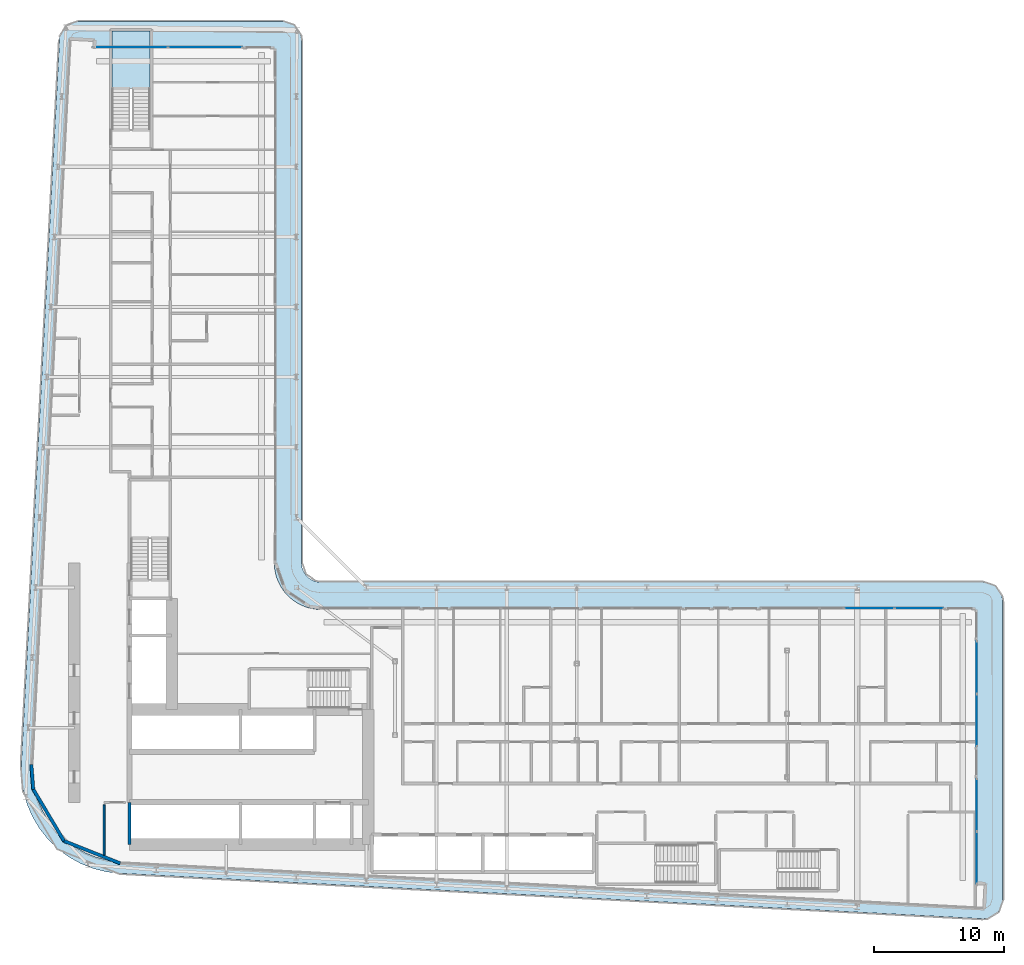
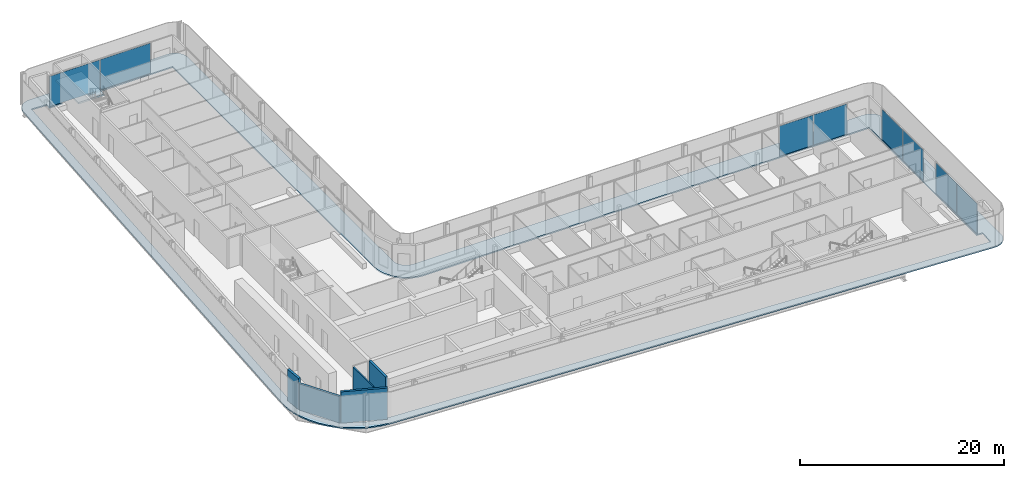
# One storey, part 12 of 27: 8 plates, 5 walls, 2 slabs, 5 elements without a shape of their own.
"""IFC4 building model written with IfcOpenShell, lengths in metres."""

from ifc_helpers import new_model, si_unit, direction, frame, frame_2d, origin, origin_2d, place, context, subcontext, project, spatial, polyline, rectangle, outline, extrude, material, layer, layer_set, type_object, element, aggregate, save


model = new_model("IFC4")

# Units and contexts
model_context = context("Model", 3, precision=1e-05, world=origin(), true_north=direction((0.0, 1.0)))
body_context = subcontext(model_context, "Body", "Model", "MODEL_VIEW")
ifc_project = project(units=[si_unit("LENGTHUNIT", "METRE"), si_unit("AREAUNIT", "SQUARE_METRE"), si_unit("VOLUMEUNIT", "CUBIC_METRE"), si_unit("PLANEANGLEUNIT", "RADIAN"), si_unit("MASSUNIT", "GRAM", prefix="KILO")], contexts=[model_context])

# Site, building, storey
site_placement = place(None, origin())
site = spatial("IfcSite", under=ifc_project, at=site_placement, CompositionType="ELEMENT")
building_placement = place(site_placement, origin())
building = spatial("IfcBuilding", under=site, at=building_placement, Name="Kheshtan School and Residences Tower", CompositionType="ELEMENT")
storey_placement = place(building_placement, frame((0.0, 0.0, 98.0)))
storey = spatial("IfcBuildingStorey", under=building, at=storey_placement, Name="L22", CompositionType="ELEMENT", Elevation=98.0)

# Curtain wall, plates
ifc_material_1 = material(Name="Clear low-e glass in thermally broken aluminium frame", Category="aluminium")
ifc_layer_1 = layer(ifc_material_1, 0.199951171875)
ifc_layer_set_1 = layer_set([ifc_layer_1], Name="Curtain wall CW-L")
curtain_wall_type = type_object("IfcCurtainWallType", Name="Curtain wall CW-L", PredefinedType="NOTDEFINED", material=ifc_layer_set_1)
curtain_wall_1_placement = place(storey_placement, origin())
curtain_wall_1 = element("IfcCurtainWall", 1, at=curtain_wall_1_placement, inside=storey, type_object=curtain_wall_type, Name="Curtain wall CWL3", PredefinedType="NOTDEFINED")
ifc_layer_2 = layer(ifc_material_1, 0.031982421875)
ifc_layer_set_2 = layer_set([ifc_layer_2], Name="CW-L glass panel")
plate_type = type_object("IfcPlateType", Name="CW-L glass panel", PredefinedType="CURTAIN_PANEL", material=ifc_layer_set_2)
plate_1_placement = place(storey_placement, frame((34.8330078125, 87.199951171875, 0.0), z_axis=(0.0, 0.0, 1.0), x_axis=(1.0, 0.0, 0.0)))
plate_1 = element("IfcPlate", 2, at=plate_1_placement, type_object=plate_type, Name="CWL3 panel 1.1", PredefinedType="CURTAIN_PANEL", context=body_context, shape_type="SweptSolid", body=[
    extrude(rectangle(XDim=5.697998046875, YDim=0.031982421875, at=origin_2d()), origin(), (0.0, 0.0, 1.0), 3.6298828125),
])
plate_2_placement = place(storey_placement, frame((40.591064453125, 87.199951171875, 0.0), z_axis=(0.0, 0.0, 1.0), x_axis=(1.0, 0.0, 0.0)))
plate_2 = element("IfcPlate", 3, at=plate_2_placement, type_object=plate_type, Name="CWL3 panel 2.1", PredefinedType="CURTAIN_PANEL", context=body_context, shape_type="SweptSolid", body=[
    extrude(rectangle(XDim=5.697998046875, YDim=0.031982421875, at=origin_2d()), origin(), (0.0, 0.0, 1.0), 3.6298828125),
])
aggregate(curtain_wall_1, [plate_1, plate_2])

curtain_wall_2_placement = place(storey_placement, origin())
curtain_wall_2 = element("IfcCurtainWall", 4, at=curtain_wall_2_placement, inside=storey, type_object=curtain_wall_type, Name="Curtain wall CWL8", PredefinedType="NOTDEFINED")
plate_3_placement = place(storey_placement, frame((91.714599609375, 44.0, 0.0), z_axis=(0.0, 0.0, 1.0), x_axis=(1.0, 0.0, 0.0)))
plate_3 = element("IfcPlate", 5, at=plate_3_placement, type_object=plate_type, Name="CWL8 panel 1.1", PredefinedType="CURTAIN_PANEL", context=body_context, shape_type="SweptSolid", body=[
    extrude(rectangle(XDim=3.81689453125, YDim=0.031982421875, at=origin_2d()), origin(), (0.0, 0.0, 1.0), 3.6298828125),
])
plate_4_placement = place(storey_placement, frame((95.5615234375, 44.0, 0.0), z_axis=(0.0, 0.0, 1.0), x_axis=(1.0, 0.0, 0.0)))
plate_4 = element("IfcPlate", 6, at=plate_4_placement, type_object=plate_type, Name="CWL8 panel 2.1", PredefinedType="CURTAIN_PANEL", context=body_context, shape_type="SweptSolid", body=[
    extrude(rectangle(XDim=3.757080078125, YDim=0.031982421875, at=origin_2d()), origin(), (0.0, 0.0, 1.0), 3.6298828125),
])
aggregate(curtain_wall_2, [plate_3, plate_4])

curtain_wall_3_placement = place(storey_placement, origin())
curtain_wall_3 = element("IfcCurtainWall", 7, at=curtain_wall_3_placement, inside=storey, type_object=curtain_wall_type, Name="Curtain wall CWL9", PredefinedType="NOTDEFINED")
plate_5_placement = place(storey_placement, frame((100.0, 39.436767578125, 0.0), z_axis=(0.0, 0.0, 1.0), x_axis=(0.0, -1.0, 0.0)))
plate_5 = element("IfcPlate", 8, at=plate_5_placement, type_object=plate_type, Name="CWL9 panel 1.1", PredefinedType="CURTAIN_PANEL", context=body_context, shape_type="SweptSolid", body=[
    extrude(rectangle(XDim=4.006591796875, YDim=0.031982421875, at=origin_2d()), origin(), (0.0, 0.0, 1.0), 3.6298828125),
])
plate_6_placement = place(storey_placement, frame((100.0, 35.370361328125, 0.0), z_axis=(0.0, 0.0, 1.0), x_axis=(0.0, -1.0, 0.0)))
plate_6 = element("IfcPlate", 9, at=plate_6_placement, type_object=plate_type, Name="CWL9 panel 2.1", PredefinedType="CURTAIN_PANEL", context=body_context, shape_type="SweptSolid", body=[
    extrude(rectangle(XDim=4.006591796875, YDim=0.031982421875, at=origin_2d()), origin(), (0.0, 0.0, 1.0), 3.6298828125),
])
aggregate(curtain_wall_3, [plate_5, plate_6])

curtain_wall_4_placement = place(storey_placement, origin())
curtain_wall_4 = element("IfcCurtainWall", 10, at=curtain_wall_4_placement, inside=storey, type_object=curtain_wall_type, Name="Curtain wall CWL9", PredefinedType="NOTDEFINED")
plate_7_placement = place(storey_placement, frame((100.0, 28.84375, 0.0), z_axis=(0.0, 0.0, 1.0), x_axis=(0.0, -1.0, 0.0)))
plate_7 = element("IfcPlate", 11, at=plate_7_placement, type_object=plate_type, Name="CWL9 panel 1.1", PredefinedType="CURTAIN_PANEL", context=body_context, shape_type="SweptSolid", body=[
    extrude(rectangle(XDim=4.006591796875, YDim=0.031982421875, at=origin_2d()), origin(), (0.0, 0.0, 1.0), 3.6298828125),
])
plate_8_placement = place(storey_placement, frame((100.0, 24.77734375, 0.0), z_axis=(0.0, 0.0, 1.0), x_axis=(0.0, -1.0, 0.0)))
plate_8 = element("IfcPlate", 12, at=plate_8_placement, type_object=plate_type, Name="CWL9 panel 2.1", PredefinedType="CURTAIN_PANEL", context=body_context, shape_type="SweptSolid", body=[
    extrude(rectangle(XDim=4.006591796875, YDim=0.031982421875, at=origin_2d()), origin(), (0.0, 0.0, 1.0), 3.6298828125),
])
aggregate(curtain_wall_4, [plate_7, plate_8])

# Slab
ifc_material_2 = material(Name="Concrete C40/50", Category="concrete")
ifc_layer_3 = layer(ifc_material_2, 0.14990234375)
ifc_layer_set_3 = layer_set([ifc_layer_3], Name="Loggia balcony slab 150 Concrete C40/50")
slab_type_1 = type_object("IfcSlabType", Name="Loggia balcony slab 150 Concrete C40/50", PredefinedType="FLOOR", material=ifc_layer_set_3)
slab_1_placement = place(storey_placement, frame((0.0, 0.0, -0.14990234375)))
element("IfcSlab", 13, at=slab_1_placement, inside=storey, type_object=slab_type_1, Name="Loggia balcony slab L22", PredefinedType="FLOOR", context=body_context, shape_type="SweptSolid", body=[
    extrude(outline(polyline([(28.4580078125, 26.222900390625), (28.45703125, 26.222900390625), (28.45703125, 26.22412109375), (28.4560546875, 26.22412109375), (27.81494140625, 27.0390625), (27.281005859375, 27.93798828125), (26.867919921875, 28.89990234375), (26.583984375, 29.89990234375), (26.583984375, 29.906982421875), (26.43408203125, 30.943115234375), (26.419921875, 31.989013671875), (29.35693359375, 87.779052734375), (29.363037109375, 87.826904296875), (29.363037109375, 87.827880859375), (29.362060546875, 87.827880859375), (29.362060546875, 87.8291015625), (29.361083984375, 87.8291015625), (29.361083984375, 87.830078125), (29.360107421875, 87.830078125), (29.360107421875, 87.8310546875), (29.35888671875, 87.8310546875), (29.35888671875, 87.83203125), (29.35888671875, 87.8330078125), (29.376953125, 87.98095703125), (29.376953125, 87.98388671875), (29.376953125, 87.985107421875), (29.3779296875, 87.985107421875), (29.3779296875, 87.986083984375), (29.37890625, 87.986083984375), (29.37890625, 87.987060546875), (29.3798828125, 87.987060546875), (29.381103515625, 87.987060546875), (29.381103515625, 87.988037109375), (29.382080078125, 87.988037109375), (29.382080078125, 87.989013671875), (29.382080078125, 87.990966796875), (29.43505859375, 88.18408203125), (29.514892578125, 88.375), (29.62109375, 88.552978515625), (29.742919921875, 88.70703125), (29.743896484375, 88.70703125), (29.743896484375, 88.7080078125), (29.7451171875, 88.7080078125), (29.7451171875, 88.708984375), (29.74609375, 88.708984375), (29.74609375, 88.7099609375), (29.7470703125, 88.7099609375), (29.7470703125, 88.7109375), (29.748046875, 88.7109375), (29.748046875, 88.7119140625), (29.7490234375, 88.7119140625), (29.7490234375, 88.712890625), (29.75, 88.712890625), (29.751953125, 88.712890625), (29.7529296875, 88.712890625), (29.7529296875, 88.714111328125), (29.89990234375, 88.85693359375), (29.90087890625, 88.85693359375), (29.90087890625, 88.85791015625), (29.902099609375, 88.85791015625), (29.902099609375, 88.85888671875), (29.903076171875, 88.85888671875), (29.903076171875, 88.860107421875), (29.904052734375, 88.860107421875), (29.904052734375, 88.861083984375), (29.905029296875, 88.861083984375), (29.905029296875, 88.862060546875), (29.906005859375, 88.862060546875), (29.906005859375, 88.863037109375), (29.906982421875, 88.863037109375), (29.906982421875, 88.864013671875), (30.068115234375, 88.97705078125), (30.2509765625, 89.072998046875), (30.43896484375, 89.14306640625), (30.446044921875, 89.14306640625), (30.64794921875, 89.18603515625), (30.85498046875, 89.199951171875), (46.5, 89.199951171875), (46.696044921875, 89.18701171875), (46.887939453125, 89.14892578125), (46.89501953125, 89.14892578125), (47.073974609375, 89.0859375), (47.243896484375, 89.0009765625), (47.2451171875, 89.0009765625), (47.2470703125, 89.0009765625), (47.248046875, 89.0009765625), (47.248046875, 89.001953125), (47.2490234375, 89.001953125), (47.2490234375, 89.0029296875), (47.25, 89.0029296875), (47.2529296875, 89.0029296875), (47.25390625, 89.0029296875), (47.25390625, 89.001953125), (47.2548828125, 89.001953125), (47.2548828125, 89.0009765625), (47.256103515625, 89.0009765625), (47.256103515625, 89.0), (47.257080078125, 89.0), (47.257080078125, 88.9990234375), (47.258056640625, 88.9990234375), (47.258056640625, 88.998046875), (47.412109375, 88.89599609375), (47.4130859375, 88.89599609375), (47.4130859375, 88.89501953125), (47.4140625, 88.89501953125), (47.4140625, 88.89404296875), (47.4140625, 88.889892578125), (47.4140625, 88.888916015625), (47.4150390625, 88.888916015625), (47.4150390625, 88.887939453125), (47.416015625, 88.887939453125), (47.416015625, 88.886962890625), (47.4169921875, 88.886962890625), (47.4169921875, 88.885986328125), (47.554931640625, 88.76806640625), (47.554931640625, 88.76708984375), (47.555908203125, 88.76708984375), (47.555908203125, 88.76611328125), (47.556884765625, 88.76611328125), (47.556884765625, 88.764892578125), (47.55810546875, 88.764892578125), (47.55810546875, 88.763916015625), (47.55908203125, 88.763916015625), (47.55908203125, 88.762939453125), (47.56005859375, 88.762939453125), (47.56005859375, 88.761962890625), (47.56103515625, 88.761962890625), (47.56201171875, 88.760986328125), (47.56201171875, 88.760009765625), (47.56298828125, 88.760009765625), (47.56298828125, 88.759033203125), (47.56396484375, 88.759033203125), (47.56396484375, 88.758056640625), (47.56494140625, 88.758056640625), (47.56494140625, 88.757080078125), (47.56591796875, 88.757080078125), (47.56591796875, 88.756103515625), (47.56689453125, 88.756103515625), (47.56689453125, 88.7548828125), (47.568115234375, 88.7548828125), (47.68505859375, 88.617919921875), (47.68603515625, 88.617919921875), (47.68603515625, 88.616943359375), (47.68701171875, 88.616943359375), (47.68701171875, 88.615966796875), (47.68798828125, 88.615966796875), (47.68798828125, 88.614990234375), (47.68896484375, 88.614990234375), (47.68896484375, 88.614013671875), (47.68994140625, 88.614013671875), (47.694091796875, 88.614013671875), (47.695068359375, 88.614013671875), (47.695068359375, 88.613037109375), (47.696044921875, 88.613037109375), (47.696044921875, 88.612060546875), (47.797119140625, 88.458984375), (47.798095703125, 88.458984375), (47.798095703125, 88.4580078125), (47.799072265625, 88.4580078125), (47.799072265625, 88.45703125), (47.800048828125, 88.45703125), (47.800048828125, 88.4560546875), (47.801025390625, 88.4560546875), (47.801025390625, 88.455078125), (47.802001953125, 88.455078125), (47.802001953125, 88.4541015625), (47.802978515625, 88.4541015625), (47.802978515625, 88.452880859375), (47.802978515625, 88.449951171875), (47.802978515625, 88.448974609375), (47.802001953125, 88.448974609375), (47.802001953125, 88.447998046875), (47.801025390625, 88.447998046875), (47.801025390625, 88.447021484375), (47.801025390625, 88.444091796875), (47.801025390625, 88.443115234375), (47.885986328125, 88.27392578125), (47.948974609375, 88.094970703125), (47.948974609375, 88.087890625), (47.987060546875, 87.89599609375), (48.0, 87.699951171875), (48.0, 47.5), (48.012939453125, 47.303955078125), (48.051025390625, 47.113037109375), (48.051025390625, 47.10693359375), (48.051025390625, 47.10595703125), (48.114013671875, 46.926025390625), (48.200927734375, 46.75), (48.31005859375, 46.5869140625), (48.431884765625, 46.444091796875), (48.43310546875, 46.444091796875), (48.43310546875, 46.443115234375), (48.43408203125, 46.443115234375), (48.43408203125, 46.44189453125), (48.43505859375, 46.44189453125), (48.43505859375, 46.44091796875), (48.43603515625, 46.44091796875), (48.43603515625, 46.43994140625), (48.43701171875, 46.43994140625), (48.43701171875, 46.43896484375), (48.43798828125, 46.43896484375), (48.43896484375, 46.43798828125), (48.43896484375, 46.43701171875), (48.43994140625, 46.43701171875), (48.43994140625, 46.43603515625), (48.44091796875, 46.43603515625), (48.44091796875, 46.43505859375), (48.44189453125, 46.43505859375), (48.44189453125, 46.43408203125), (48.443115234375, 46.43408203125), (48.443115234375, 46.43310546875), (48.444091796875, 46.43310546875), (48.444091796875, 46.431884765625), (48.5869140625, 46.31005859375), (48.75, 46.200927734375), (48.926025390625, 46.114013671875), (49.10595703125, 46.051025390625), (49.10693359375, 46.051025390625), (49.113037109375, 46.051025390625), (49.303955078125, 46.012939453125), (49.5, 46.0), (100.5, 46.0), (100.696044921875, 45.987060546875), (100.887939453125, 45.948974609375), (100.89501953125, 45.948974609375), (101.073974609375, 45.885986328125), (101.241943359375, 45.801025390625), (101.242919921875, 45.801025390625), (101.2470703125, 45.801025390625), (101.248046875, 45.801025390625), (101.248046875, 45.802001953125), (101.2490234375, 45.802001953125), (101.2490234375, 45.802978515625), (101.25, 45.802978515625), (101.2529296875, 45.802978515625), (101.25390625, 45.802978515625), (101.25390625, 45.802001953125), (101.2548828125, 45.802001953125), (101.2548828125, 45.801025390625), (101.256103515625, 45.801025390625), (101.256103515625, 45.800048828125), (101.257080078125, 45.800048828125), (101.257080078125, 45.799072265625), (101.258056640625, 45.799072265625), (101.258056640625, 45.798095703125), (101.259033203125, 45.798095703125), (101.259033203125, 45.797119140625), (101.260009765625, 45.797119140625), (101.260009765625, 45.7958984375), (101.412109375, 45.696044921875), (101.4130859375, 45.696044921875), (101.4130859375, 45.695068359375), (101.4140625, 45.695068359375), (101.4140625, 45.694091796875), (101.4140625, 45.68994140625), (101.4140625, 45.68896484375), (101.4150390625, 45.68896484375), (101.4150390625, 45.68798828125), (101.416015625, 45.68798828125), (101.416015625, 45.68701171875), (101.4169921875, 45.68701171875), (101.4169921875, 45.68603515625), (101.41796875, 45.68603515625), (101.41796875, 45.68505859375), (101.4189453125, 45.68505859375), (101.4189453125, 45.68408203125), (101.554931640625, 45.568115234375), (101.554931640625, 45.56689453125), (101.555908203125, 45.56689453125), (101.555908203125, 45.56591796875), (101.556884765625, 45.56591796875), (101.556884765625, 45.56494140625), (101.55810546875, 45.56494140625), (101.55810546875, 45.56396484375), (101.55908203125, 45.56396484375), (101.55908203125, 45.56298828125), (101.56005859375, 45.56298828125), (101.56005859375, 45.56201171875), (101.56103515625, 45.56201171875), (101.56201171875, 45.56103515625), (101.56201171875, 45.56005859375), (101.56298828125, 45.56005859375), (101.56298828125, 45.55908203125), (101.56396484375, 45.55908203125), (101.56396484375, 45.55810546875), (101.56494140625, 45.55810546875), (101.56494140625, 45.556884765625), (101.56591796875, 45.556884765625), (101.56591796875, 45.555908203125), (101.56689453125, 45.555908203125), (101.56689453125, 45.554931640625), (101.568115234375, 45.554931640625), (101.681884765625, 45.4208984375), (101.68310546875, 45.4208984375), (101.68310546875, 45.419921875), (101.68408203125, 45.419921875), (101.68408203125, 45.4189453125), (101.68505859375, 45.4189453125), (101.68505859375, 45.41796875), (101.68603515625, 45.41796875), (101.68603515625, 45.4169921875), (101.68701171875, 45.4169921875), (101.68701171875, 45.416015625), (101.68798828125, 45.416015625), (101.68798828125, 45.4150390625), (101.68896484375, 45.4150390625), (101.68896484375, 45.4140625), (101.68994140625, 45.4140625), (101.694091796875, 45.4140625), (101.695068359375, 45.4140625), (101.695068359375, 45.4130859375), (101.696044921875, 45.4130859375), (101.696044921875, 45.412109375), (101.7939453125, 45.261962890625), (101.794921875, 45.261962890625), (101.794921875, 45.260986328125), (101.7958984375, 45.260986328125), (101.7958984375, 45.260009765625), (101.797119140625, 45.260009765625), (101.797119140625, 45.259033203125), (101.798095703125, 45.259033203125), (101.798095703125, 45.258056640625), (101.799072265625, 45.258056640625), (101.799072265625, 45.257080078125), (101.800048828125, 45.257080078125), (101.800048828125, 45.256103515625), (101.801025390625, 45.256103515625), (101.801025390625, 45.2548828125), (101.802001953125, 45.2548828125), (101.802001953125, 45.25390625), (101.802978515625, 45.25390625), (101.802978515625, 45.2529296875), (101.802978515625, 45.25), (101.802978515625, 45.2490234375), (101.802001953125, 45.2490234375), (101.802001953125, 45.248046875), (101.801025390625, 45.248046875), (101.801025390625, 45.2470703125), (101.801025390625, 45.240966796875), (101.801025390625, 45.239990234375), (101.885986328125, 45.073974609375), (101.948974609375, 44.89501953125), (101.948974609375, 44.887939453125), (101.987060546875, 44.696044921875), (102.0, 44.5), (102.0, 21.5810546875), (101.986083984375, 21.37890625), (101.945068359375, 21.179931640625), (101.945068359375, 21.173095703125), (101.8779296875, 20.989013671875), (101.785888671875, 20.80810546875), (101.6708984375, 20.64306640625), (101.6708984375, 20.64208984375), (101.6708984375, 20.64111328125), (101.6708984375, 20.639892578125), (101.672119140625, 20.639892578125), (101.672119140625, 20.638916015625), (101.672119140625, 20.636962890625), (101.672119140625, 20.635986328125), (101.6708984375, 20.635986328125), (101.6708984375, 20.635009765625), (101.5380859375, 20.491943359375), (101.534912109375, 20.489013671875), (101.533935546875, 20.489013671875), (101.533935546875, 20.488037109375), (101.532958984375, 20.488037109375), (101.531005859375, 20.488037109375), (101.530029296875, 20.488037109375), (101.530029296875, 20.489013671875), (101.529052734375, 20.489013671875), (101.528076171875, 20.489013671875), (101.527099609375, 20.489013671875), (101.3759765625, 20.364013671875), (101.2041015625, 20.256103515625), (101.01904296875, 20.174072265625), (100.8310546875, 20.116943359375), (100.823974609375, 20.116943359375), (100.6240234375, 20.0859375), (100.4208984375, 20.0830078125), (33.989013671875, 23.580078125), (33.94189453125, 23.5859375), (33.94091796875, 23.5859375), (33.93994140625, 23.5859375), (33.93994140625, 23.5849609375), (33.93896484375, 23.5849609375), (33.93896484375, 23.583984375), (33.93798828125, 23.583984375), (33.93798828125, 23.5830078125), (33.93701171875, 23.5830078125), (33.93701171875, 23.58203125), (33.93603515625, 23.58203125), (33.93505859375, 23.58203125), (32.952880859375, 23.697998046875), (32.949951171875, 23.697998046875), (32.948974609375, 23.697998046875), (32.948974609375, 23.698974609375), (32.947998046875, 23.698974609375), (32.947998046875, 23.699951171875), (32.947021484375, 23.699951171875), (32.947021484375, 23.700927734375), (32.947021484375, 23.702880859375), (32.947021484375, 23.7041015625), (32.946044921875, 23.7041015625), (32.946044921875, 23.705078125), (32.945068359375, 23.705078125), (32.944091796875, 23.705078125), (31.93603515625, 23.9609375), (31.928955078125, 23.9609375), (30.964111328125, 24.34912109375), (30.051025390625, 24.860107421875), (29.218994140625, 25.47900390625), (29.218994140625, 25.47998046875), (29.218017578125, 25.47998046875), (29.218017578125, 25.48095703125), (29.217041015625, 25.48095703125), (29.217041015625, 25.48193359375), (29.216064453125, 25.48193359375), (29.216064453125, 25.48291015625), (29.215087890625, 25.48291015625), (29.215087890625, 25.48388671875), (29.214111328125, 25.48388671875), (29.214111328125, 25.485107421875), (29.212890625, 25.485107421875), (29.212890625, 25.486083984375), (29.2119140625, 25.486083984375), (28.466064453125, 26.217041015625), (28.466064453125, 26.218017578125), (28.465087890625, 26.218017578125), (28.462890625, 26.218017578125), (28.4619140625, 26.218017578125), (28.4619140625, 26.218994140625), (28.4609375, 26.218994140625), (28.4609375, 26.219970703125), (28.4599609375, 26.219970703125), (28.4599609375, 26.220947265625), (28.458984375, 26.220947265625), (28.458984375, 26.221923828125), (28.4580078125, 26.221923828125), (28.4580078125, 26.222900390625)]), holes=[polyline([(27.466064453125, 30.0869140625), (27.718017578125, 29.200927734375), (28.0849609375, 28.345947265625), (28.55908203125, 27.550048828125), (29.126953125, 26.825927734375), (29.1279296875, 26.825927734375), (29.1279296875, 26.824951171875), (29.12890625, 26.824951171875), (29.12890625, 26.823974609375), (29.1298828125, 26.823974609375), (29.1298828125, 26.822998046875), (29.131103515625, 26.822998046875), (29.131103515625, 26.822021484375), (29.132080078125, 26.822021484375), (29.132080078125, 26.821044921875), (29.133056640625, 26.821044921875), (29.133056640625, 26.820068359375), (29.134033203125, 26.820068359375), (29.7958984375, 26.173095703125), (29.7958984375, 26.172119140625), (29.797119140625, 26.172119140625), (29.798095703125, 26.172119140625), (29.799072265625, 26.172119140625), (29.799072265625, 26.1708984375), (29.800048828125, 26.1708984375), (29.800048828125, 26.169921875), (29.801025390625, 26.169921875), (29.801025390625, 26.1689453125), (29.802001953125, 26.1689453125), (29.802001953125, 26.16796875), (29.802978515625, 26.16796875), (29.802978515625, 26.1669921875), (29.803955078125, 26.1669921875), (29.803955078125, 26.166015625), (30.541015625, 25.616943359375), (31.35205078125, 25.1630859375), (32.208984375, 24.819091796875), (32.2099609375, 24.819091796875), (32.216064453125, 24.819091796875), (33.114990234375, 24.590087890625), (34.06591796875, 24.47705078125), (100.43798828125, 20.98291015625), (100.465087890625, 20.98388671875), (100.466064453125, 20.98388671875), (100.467041015625, 20.98388671875), (100.467041015625, 20.985107421875), (100.468017578125, 20.985107421875), (100.468017578125, 20.986083984375), (100.468017578125, 20.987060546875), (100.55810546875, 22.676025390625), (100.55810546875, 22.677001953125), (100.55810546875, 22.677978515625), (100.556884765625, 22.677978515625), (100.556884765625, 22.678955078125), (100.555908203125, 22.678955078125), (100.554931640625, 22.678955078125), (99.90087890625, 22.714111328125), (99.89990234375, 22.714111328125), (99.89990234375, 22.715087890625), (99.89990234375, 43.89794921875), (99.89990234375, 43.89892578125), (99.89892578125, 43.89892578125), (99.89892578125, 43.89990234375), (99.89794921875, 43.89990234375), (49.429931640625, 43.89990234375), (49.030029296875, 43.927001953125), (48.569091796875, 44.01806640625), (48.56201171875, 44.01806640625), (48.1201171875, 44.169921875), (47.697021484375, 44.37890625), (47.30810546875, 44.638916015625), (46.95703125, 44.944091796875), (46.95703125, 44.945068359375), (46.9560546875, 44.945068359375), (46.9560546875, 44.946044921875), (46.955078125, 44.946044921875), (46.955078125, 44.947021484375), (46.9541015625, 44.947021484375), (46.9541015625, 44.947998046875), (46.952880859375, 44.947998046875), (46.952880859375, 44.948974609375), (46.951904296875, 44.948974609375), (46.951904296875, 44.949951171875), (46.951904296875, 44.950927734375), (46.950927734375, 44.950927734375), (46.950927734375, 44.951904296875), (46.949951171875, 44.951904296875), (46.948974609375, 44.951904296875), (46.948974609375, 44.952880859375), (46.947998046875, 44.952880859375), (46.947998046875, 44.9541015625), (46.947021484375, 44.9541015625), (46.947021484375, 44.955078125), (46.946044921875, 44.955078125), (46.946044921875, 44.9560546875), (46.945068359375, 44.9560546875), (46.945068359375, 44.95703125), (46.944091796875, 44.95703125), (46.638916015625, 45.30810546875), (46.37890625, 45.697021484375), (46.169921875, 46.1201171875), (46.01806640625, 46.56201171875), (46.01806640625, 46.569091796875), (45.927001953125, 47.030029296875), (45.89990234375, 47.429931640625), (45.89990234375, 87.097900390625), (45.89990234375, 87.09912109375), (45.89892578125, 87.09912109375), (45.89892578125, 87.10009765625), (45.89794921875, 87.10009765625), (36.35009765625, 87.10009765625), (36.35009765625, 88.4599609375), (33.39990234375, 88.4599609375), (33.39990234375, 87.10009765625), (31.925048828125, 87.10009765625), (31.924072265625, 87.10009765625), (31.952880859375, 87.638916015625), (31.952880859375, 87.639892578125), (31.952880859375, 87.64111328125), (31.951904296875, 87.64111328125), (31.951904296875, 87.64208984375), (31.950927734375, 87.64208984375), (31.949951171875, 87.64208984375), (30.260986328125, 87.73193359375), (30.260009765625, 87.73193359375), (30.259033203125, 87.73193359375), (30.259033203125, 87.73095703125), (30.258056640625, 87.73095703125), (30.258056640625, 87.72998046875), (30.258056640625, 87.72900390625), (30.25390625, 87.700927734375), (27.320068359375, 31.970947265625), (27.3330078125, 31.013916015625), (27.466064453125, 30.093994140625), (27.466064453125, 30.087890625), (27.466064453125, 30.0869140625)])]), origin(), (0.0, 0.0, 1.0), 0.14990234375),
])

# Stair, slab
stair_type = type_object("IfcStairType", Name="Exit stair, half-turn", PredefinedType="HALF_TURN_STAIR", material=ifc_material_2)
stair_placement = place(storey_placement, origin())
stair = element("IfcStair", 14, at=stair_placement, inside=storey, type_object=stair_type, Name="L22 Protected Exit Stair ST3", PredefinedType="HALF_TURN_STAIR")
ifc_layer_4 = layer(ifc_material_2, 0.199951171875)
ifc_layer_set_4 = layer_set([ifc_layer_4], Name="Stair landing 200 Concrete C40/50")
slab_type_2 = type_object("IfcSlabType", Name="Stair landing 200 Concrete C40/50", PredefinedType="LANDING", material=ifc_layer_set_4)
slab_2_placement = place(storey_placement, frame((0.0, 0.0, 1.75)))
slab_2 = element("IfcSlab", 15, at=slab_2_placement, type_object=slab_type_2, Name="ST3 landing 1", PredefinedType="LANDING", context=body_context, shape_type="SweptSolid", body=[
    extrude(outline(polyline([(36.35009765625, 83.97998046875), (36.35009765625, 88.4599609375), (33.39990234375, 88.4599609375), (33.39990234375, 83.97998046875), (36.35009765625, 83.97998046875)])), origin(), (0.0, 0.0, 1.0), 0.199951171875),
])
aggregate(stair, [slab_2])

# Walls
ifc_material_3 = material(Name="Concrete C40/50 with ceramic cladding and mineral wool insulation", Category="concrete")
ifc_layer_5 = layer(ifc_material_3, 0.25)
ifc_layer_set_5 = layer_set([ifc_layer_5], Name="External wall 250 ceramic clad")
wall_type_1 = type_object("IfcWallType", Name="External wall 250 ceramic clad", PredefinedType="SOLIDWALL", material=ifc_layer_set_5)
wall_1_placement = place(storey_placement, frame((34.0390625, 24.35302734375, 0.0), z_axis=(0.0, 0.0, 1.0), x_axis=(-0.929352825399, 0.369192803184, 0.0)))
element("IfcWall", 16, at=wall_1_placement, inside=storey, type_object=wall_type_1, Name="External wall L22 13", PredefinedType="SOLIDWALL", context=body_context, shape_type="SweptSolid", body=[
    extrude(rectangle(XDim=4.656005859375, YDim=0.25, at=frame_2d((2.328125, 0.0))), origin(), (0.0, 0.0, 1.0), 3.75),
])
wall_2_placement = place(storey_placement, frame((29.7119140625, 26.072021484375, 0.0), z_axis=(0.0, 0.0, 1.0), x_axis=(-0.511028049012, 0.859564036662, 0.0)))
element("IfcWall", 17, at=wall_2_placement, inside=storey, type_object=wall_type_1, Name="External wall L22 14", PredefinedType="SOLIDWALL", context=body_context, shape_type="SweptSolid", body=[
    extrude(rectangle(XDim=4.633544921875, YDim=0.25, at=frame_2d((2.31689453125, 0.0))), origin(), (0.0, 0.0, 1.0), 3.14697265625),
])
wall_3_placement = place(storey_placement, frame((27.343994140625, 30.054931640625, 0.0), z_axis=(0.0, 0.0, 1.0), x_axis=(-0.077571675317, 0.99698677784, 0.0)))
element("IfcWall", 18, at=wall_3_placement, inside=storey, type_object=wall_type_1, Name="External wall L22 15", PredefinedType="SOLIDWALL", context=body_context, shape_type="SweptSolid", body=[
    extrude(rectangle(XDim=1.919921875, YDim=0.25, at=frame_2d((0.9599609375, 0.0))), origin(), (0.0, 0.0, 1.0), 3.75),
])
ifc_material_4 = material(Name="Fire-board shaft wall system")
ifc_layer_6 = layer(ifc_material_4, 0.14990234375)
ifc_layer_set_6 = layer_set([ifc_layer_6], Name="Service room wall 150")
wall_type_2 = type_object("IfcWallType", Name="Service room wall 150", PredefinedType="PARTITIONING", material=ifc_layer_set_6)
wall_4_placement = place(storey_placement, frame((32.804931640625, 24.97998046875, 0.0), z_axis=(0.0, 0.0, 1.0), x_axis=(0.0, 1.0, 0.0)))
element("IfcWall", 19, at=wall_4_placement, inside=storey, type_object=wall_type_2, Name="Service room wall", PredefinedType="PARTITIONING", context=body_context, shape_type="SweptSolid", body=[
    extrude(rectangle(XDim=3.875, YDim=0.14990234375, at=frame_2d((1.9375, 0.0))), origin(), (0.0, 0.0, 1.0), 3.89990234375),
])
ifc_layer_7 = layer(ifc_material_4, 0.25)
ifc_layer_set_7 = layer_set([ifc_layer_7], Name="Shaft lining wall 250")
wall_type_3 = type_object("IfcWallType", Name="Shaft lining wall 250", PredefinedType="PARTITIONING", material=ifc_layer_set_7)
wall_5_placement = place(storey_placement, frame((34.75, 25.800048828125, 0.0), z_axis=(0.0, 0.0, 1.0), x_axis=(0.0, 1.0, 0.0)))
element("IfcWall", 20, at=wall_5_placement, inside=storey, type_object=wall_type_3, Name="Shaft lining wall", PredefinedType="PARTITIONING", context=body_context, shape_type="SweptSolid", body=[
    extrude(rectangle(XDim=3.25, YDim=0.25, at=frame_2d((1.625, 0.0))), origin(), (0.0, 0.0, 1.0), 3.89990234375),
])

save(model, "model.ifc")
